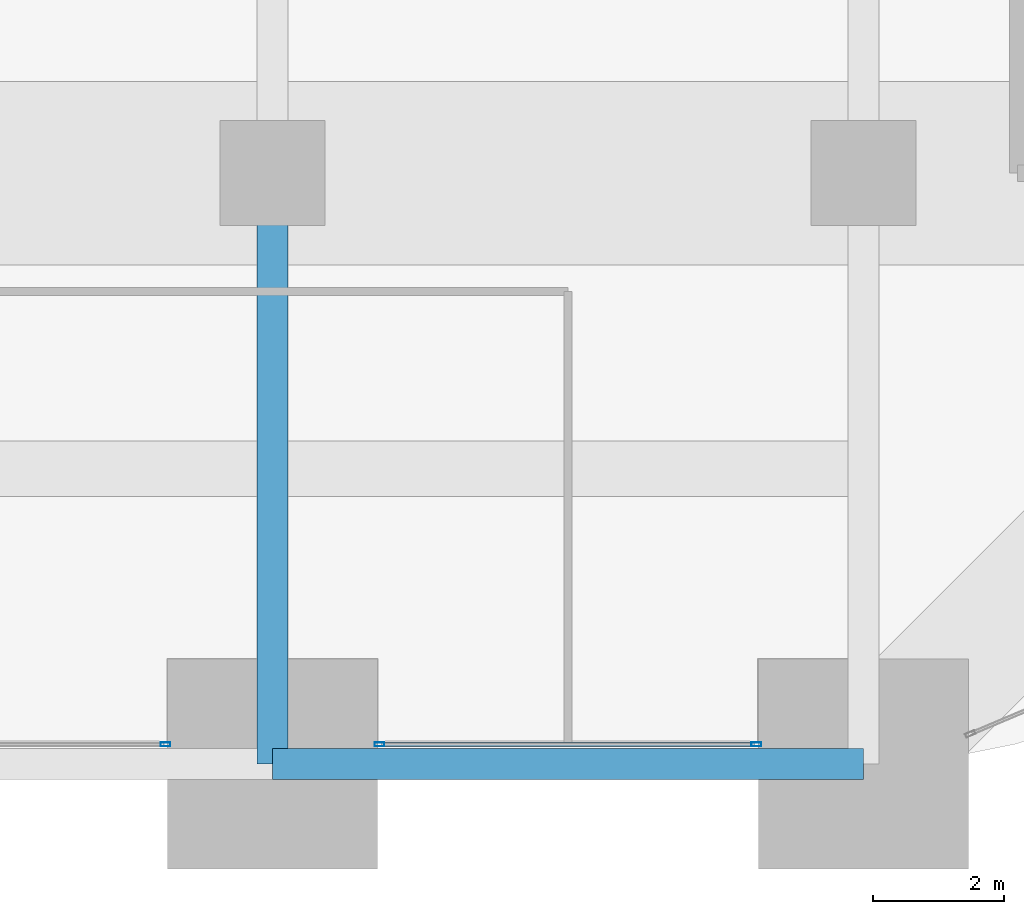
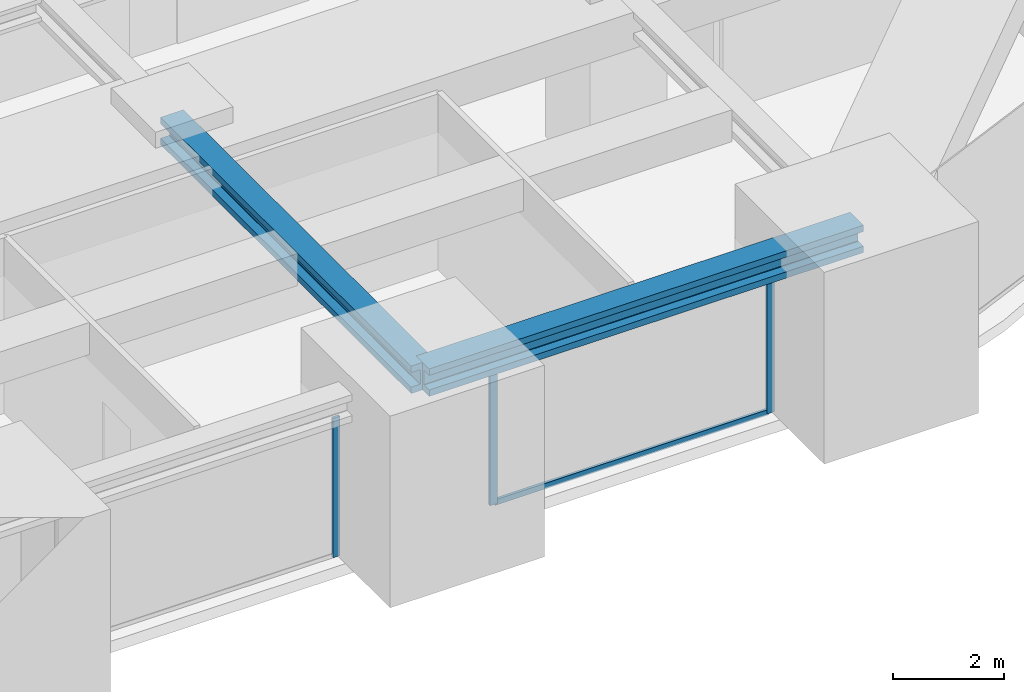
# One storey, part 14 of 39: 4 members, 2 beams, 2 elements without a shape of their own.
"""IFC4 building model written with IfcOpenShell, lengths in metres."""

from ifc_helpers import new_model, si_unit, direction, frame, origin, origin_2d, place, context, subcontext, project, spatial, hollow_rectangle, i_section, extrude, material, material_profile, profile_set, type_object, element, aggregate, save


model = new_model("IFC4")

# Units and contexts
model_context = context("Model", 3, precision=1e-05, world=origin(), true_north=direction((0.0, 1.0)))
body_context = subcontext(model_context, "Body", "Model", "MODEL_VIEW")
ifc_project = project(units=[si_unit("LENGTHUNIT", "METRE"), si_unit("AREAUNIT", "SQUARE_METRE"), si_unit("VOLUMEUNIT", "CUBIC_METRE"), si_unit("PLANEANGLEUNIT", "RADIAN"), si_unit("MASSUNIT", "GRAM", prefix="KILO")], contexts=[model_context])

# Site, building, storey
site_placement = place(None, origin())
site = spatial("IfcSite", under=ifc_project, at=site_placement, CompositionType="ELEMENT")
building_placement = place(site_placement, origin())
building = spatial("IfcBuilding", under=site, at=building_placement, Name="Zorevar Civic Tower", CompositionType="ELEMENT")
storey_placement = place(building_placement, frame((0.0, 0.0, 230.199951171875)))
storey = spatial("IfcBuildingStorey", under=building, at=storey_placement, Name="L56", CompositionType="ELEMENT", Elevation=230.199951171875)

# Beam
ifc_material_1 = material(Name="Steel S460M (HISTAR 460)", Category="steel")
ifc_material_profile_1 = material_profile(ifc_material_1, i_section(OverallWidth=0.47607421875, OverallDepth=0.60009765625, WebThickness=0.10009765625, FlangeThickness=0.139892578125, FilletRadius=0.014892578125, at=origin_2d()), Name="HD 400x1299")
ifc_profile_set_1 = profile_set([ifc_material_profile_1], Name="Steel S460M (HISTAR 460)")
beam_type_1 = type_object("IfcBeamType", Name="Belt chord HD 400x1299", PredefinedType="BEAM", material=ifc_profile_set_1)
beam_1_placement = place(storey_placement, frame((36.0, 0.0, 3.550048828125), z_axis=(1.0, 0.0, 0.0), x_axis=(0.0, 1.0, 0.0)))
element("IfcBeam", 1, at=beam_1_placement, inside=storey, type_object=beam_type_1, Name="Belt chord L57", PredefinedType="BEAM", context=body_context, shape_type="SweptSolid", body=[
    extrude(i_section(OverallWidth=0.47607421875, OverallDepth=0.60009765625, WebThickness=0.10009765625, FlangeThickness=0.139892578125, FilletRadius=0.014892578125, at=origin_2d()), origin(), (0.0, 0.0, 1.0), 9.0),
])

# Curtain wall, member
ifc_material_2 = material(Name="Dark grey solar-control glass in black aluminium frame", Category="aluminium")
curtain_wall_type = type_object("IfcCurtainWallType", Name="Curtain wall CW4 high zone", PredefinedType="NOTDEFINED", material=ifc_material_2)
curtain_wall_1_placement = place(storey_placement, origin())
curtain_wall_1 = element("IfcCurtainWall", 2, at=curtain_wall_1_placement, inside=storey, type_object=curtain_wall_type, Name="CW4 L56", PredefinedType="NOTDEFINED")
ifc_material_3 = material(Name="Aluminium, black anodised", Category="aluminium")
ifc_material_profile_2 = material_profile(ifc_material_3, hollow_rectangle(XDim=0.06005859375, YDim=0.14990234375, WallThickness=0.00390625, at=origin_2d()), Name="AL 150x60x4")
ifc_profile_set_2 = profile_set([ifc_material_profile_2], Name="Aluminium, black anodised")
member_type_1 = type_object("IfcMemberType", Name="CW4 mullion AL 150x60x4", PredefinedType="MULLION", material=ifc_profile_set_2)
member_1_placement = place(storey_placement, frame((34.3701171875, 0.300048828125, 0.0), z_axis=(0.0, 0.0, 1.0), x_axis=(0.0, 1.0, 0.0)))
member_1 = element("IfcMember", 3, at=member_1_placement, type_object=member_type_1, Name="CW4 mullion 2", PredefinedType="MULLION", context=body_context, shape_type="SweptSolid", body=[
    extrude(hollow_rectangle(XDim=0.06005859375, YDim=0.14990234375, WallThickness=0.00390625, at=origin_2d()), origin(), (0.0, 0.0, 1.0), 3.050048828125),
])
aggregate(curtain_wall_1, [member_1])

# Curtain wall, members
curtain_wall_2_placement = place(storey_placement, origin())
curtain_wall_2 = element("IfcCurtainWall", 4, at=curtain_wall_2_placement, inside=storey, type_object=curtain_wall_type, Name="CW4 L56", PredefinedType="NOTDEFINED")
member_2_placement = place(storey_placement, frame((37.6298828125, 0.300048828125, 0.0), z_axis=(0.0, 0.0, 1.0), x_axis=(0.0, 1.0, 0.0)))
member_2 = element("IfcMember", 5, at=member_2_placement, type_object=member_type_1, Name="CW4 mullion 1", PredefinedType="MULLION", context=body_context, shape_type="SweptSolid", body=[
    extrude(hollow_rectangle(XDim=0.06005859375, YDim=0.14990234375, WallThickness=0.00390625, at=origin_2d()), origin(), (0.0, 0.0, 1.0), 3.050048828125),
])
member_3_placement = place(storey_placement, frame((43.3701171875, 0.300048828125, 0.0), z_axis=(0.0, 0.0, 1.0), x_axis=(0.0, 1.0, 0.0)))
member_3 = element("IfcMember", 6, at=member_3_placement, type_object=member_type_1, Name="CW4 mullion 2", PredefinedType="MULLION", context=body_context, shape_type="SweptSolid", body=[
    extrude(hollow_rectangle(XDim=0.06005859375, YDim=0.14990234375, WallThickness=0.00390625, at=origin_2d()), origin(), (0.0, 0.0, 1.0), 3.050048828125),
])
ifc_material_4 = material(Name="Aluminium, black anodised", Category="aluminium")
ifc_material_profile_3 = material_profile(ifc_material_4, hollow_rectangle(XDim=0.06005859375, YDim=0.1201171875, WallThickness=0.0029296875, at=origin_2d()), Name="AL 120x60x3")
ifc_profile_set_3 = profile_set([ifc_material_profile_3], Name="Aluminium, black anodised")
member_type_2 = type_object("IfcMemberType", Name="CW4 transom AL 120x60x3", PredefinedType="USERDEFINED", material=ifc_profile_set_3)
member_4_placement = place(storey_placement, frame((37.659912109375, 0.300048828125, 0.030029296875), z_axis=(1.0, 0.0, 0.0), x_axis=(0.0, 1.0, 0.0)))
member_4 = element("IfcMember", 7, at=member_4_placement, type_object=member_type_2, Name="CW4 sill transom", ObjectType="TRANSOM", PredefinedType="USERDEFINED", context=body_context, shape_type="SweptSolid", body=[
    extrude(hollow_rectangle(XDim=0.06005859375, YDim=0.1201171875, WallThickness=0.0029296875, at=origin_2d()), origin(), (0.0, 0.0, 1.0), 5.68017578125),
])
aggregate(curtain_wall_2, [member_2, member_3, member_4])

# Beam
ifc_material_5 = material(Name="Steel S460M (HISTAR 460)", Category="steel")
ifc_material_profile_4 = material_profile(ifc_material_5, i_section(OverallWidth=0.47607421875, OverallDepth=0.60009765625, WebThickness=0.10009765625, FlangeThickness=0.139892578125, FilletRadius=0.014892578125, at=origin_2d()), Name="HD 400x1299")
ifc_profile_set_4 = profile_set([ifc_material_profile_4], Name="Steel S460M (HISTAR 460)")
beam_type_2 = type_object("IfcBeamType", Name="Outrigger chord HD 400x1299", PredefinedType="BEAM", material=ifc_profile_set_4)
beam_2_placement = place(storey_placement, frame((36.0, 0.0, 3.550048828125), z_axis=(0.0, 1.0, 0.0), x_axis=(-1.0, 0.0, 0.0)))
element("IfcBeam", 8, at=beam_2_placement, inside=storey, type_object=beam_type_2, Name="Outrigger chord L57", PredefinedType="BEAM", context=body_context, shape_type="SweptSolid", body=[
    extrude(i_section(OverallWidth=0.47607421875, OverallDepth=0.60009765625, WebThickness=0.10009765625, FlangeThickness=0.139892578125, FilletRadius=0.014892578125, at=origin_2d()), origin(), (0.0, 0.0, 1.0), 9.0),
])

save(model, "model.ifc")
